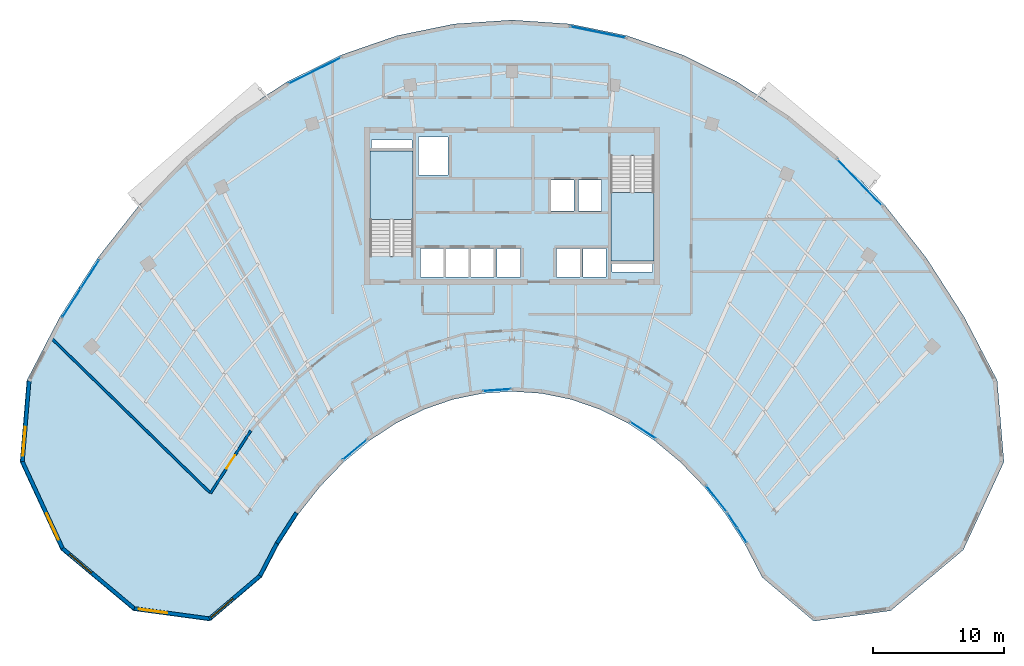
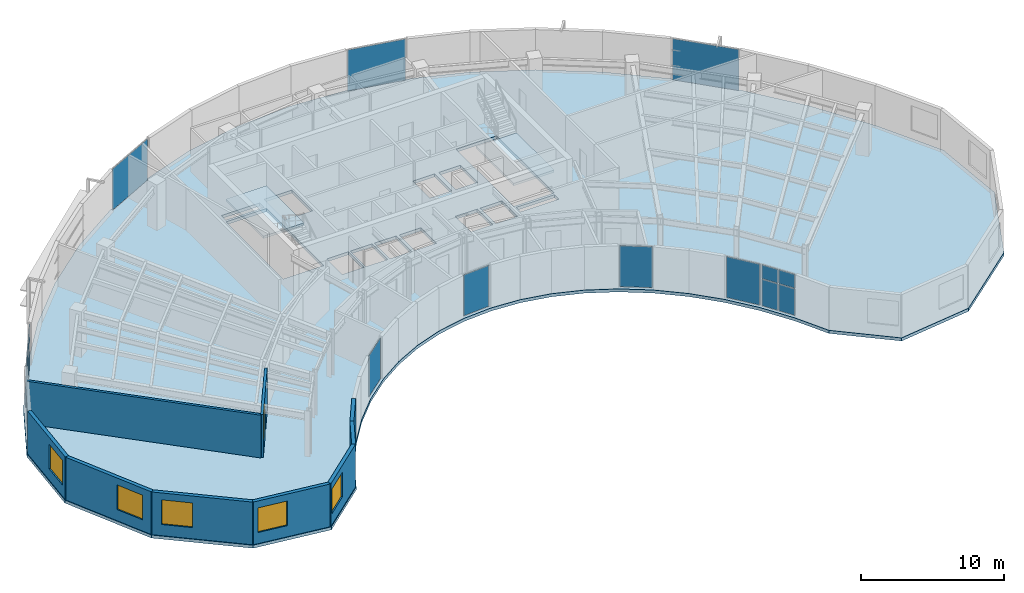
# One storey, part 7 of 14: 15 plates, 9 walls, 5 windows, 3 slabs, 1 door, 6 openings, 11 elements without a shape of their own.
"""IFC4 building model written with IfcOpenShell, lengths in metres."""

from ifc_helpers import new_model, si_unit, direction, frame, frame_2d, origin, origin_2d, place, context, subcontext, project, spatial, polyline, rectangle, outline, extrude, source, transform, mapped, material, layer, layer_set, type_object, type_shapes, element, fill, aggregate, save


model = new_model("IFC4")

# Units and contexts
model_context = context("Model", 3, precision=1e-05, world=origin(), true_north=direction((0.0, 1.0)))
body_context = subcontext(model_context, "Body", "Model", "MODEL_VIEW")
ifc_project = project(units=[si_unit("LENGTHUNIT", "METRE"), si_unit("AREAUNIT", "SQUARE_METRE"), si_unit("VOLUMEUNIT", "CUBIC_METRE"), si_unit("PLANEANGLEUNIT", "RADIAN"), si_unit("MASSUNIT", "GRAM", prefix="KILO")], contexts=[model_context])

# Site, building, storey
site_placement = place(None, origin())
site = spatial("IfcSite", under=ifc_project, at=site_placement, CompositionType="ELEMENT")
building_placement = place(site_placement, origin())
building = spatial("IfcBuilding", under=site, at=building_placement, Name="Breltana Convention Tower", CompositionType="ELEMENT")
storey_placement = place(building_placement, frame((0.0, 0.0, 219.60009765625)))
storey = spatial("IfcBuildingStorey", under=building, at=storey_placement, Name="L53", CompositionType="ELEMENT", Elevation=219.60009765625)

# Stair, slab
ifc_material_1 = material(Name="Concrete C40/50", Category="concrete")
stair_type = type_object("IfcStairType", Name="ST-DOG-1560-R177", PredefinedType="HALF_TURN_STAIR", material=ifc_material_1)
stair_1_placement = place(storey_placement, origin())
stair_1 = element("IfcStair", 1, at=stair_1_placement, inside=storey, type_object=stair_type, Name="L53 Protected Core Exit Stair ST-1", PredefinedType="HALF_TURN_STAIR")
ifc_layer_1 = layer(ifc_material_1, 0.199951171875, Name="Concrete C40/50")
ifc_layer_set_1 = layer_set([ifc_layer_1], Name="Concrete C40/50")
slab_type_1 = type_object("IfcSlabType", Name="SL-STAIR-LANDING-200", PredefinedType="LANDING", material=ifc_layer_set_1)
slab_1_placement = place(storey_placement, frame((0.0, 0.0, 1.75)))
slab_1 = element("IfcSlab", 2, at=slab_1_placement, type_object=slab_type_1, Name="ST-1 landing 1", PredefinedType="LANDING", context=body_context, shape_type="SweptSolid", body=[
    extrude(outline(polyline([(40.469970703125, 65.159912109375), (40.469970703125, 70.39990234375), (37.199951171875, 70.39990234375), (37.199951171875, 65.159912109375), (40.469970703125, 65.159912109375)])), origin(), (0.0, 0.0, 1.0), 0.199951171875),
])
aggregate(stair_1, [slab_1])

stair_2_placement = place(storey_placement, origin())
stair_2 = element("IfcStair", 3, at=stair_2_placement, inside=storey, type_object=stair_type, Name="L53 Protected Core Exit Stair ST-2", PredefinedType="HALF_TURN_STAIR")
slab_2_placement = place(storey_placement, frame((0.0, 0.0, 1.75)))
slab_2 = element("IfcSlab", 4, at=slab_2_placement, type_object=slab_type_1, Name="ST-2 landing 1", PredefinedType="LANDING", context=body_context, shape_type="SweptSolid", body=[
    extrude(outline(polyline([(55.530029296875, 67.239990234375), (55.530029296875, 62.0), (58.800048828125, 62.0), (58.800048828125, 67.239990234375), (55.530029296875, 67.239990234375)])), origin(), (0.0, 0.0, 1.0), 0.199951171875),
])
aggregate(stair_2, [slab_2])

# Slab
ifc_layer_2 = layer(ifc_material_1, 0.260009765625, Name="Concrete C40/50")
ifc_layer_set_2 = layer_set([ifc_layer_2], Name="Concrete C40/50")
slab_type_2 = type_object("IfcSlabType", Name="SL-UPP-260", PredefinedType="FLOOR", material=ifc_layer_set_2)
slab_3_placement = place(storey_placement, frame((0.0, 0.0, -0.260009765625)))
element("IfcSlab", 5, at=slab_3_placement, inside=storey, type_object=slab_type_2, Name="L53 Suspended Structural Floor Slab", PredefinedType="FLOOR", context=body_context, shape_type="SweptSolid", body=[
    extrude(outline(polyline([(84.9326171875, 52.924560546875), (82.411376953125, 57.767333984375), (79.53759765625, 62.244140625), (76.34130859375, 66.308837890625), (72.8544921875, 69.919921875), (69.113525390625, 73.040283203125), (65.15625, 75.637939453125), (61.023193359375, 77.6865234375), (56.7568359375, 79.1650390625), (52.40087890625, 80.058349609375), (48.0, 80.35693359375), (43.59912109375, 80.058349609375), (39.2431640625, 79.1650390625), (34.976806640625, 77.6865234375), (30.84375, 75.637939453125), (26.886474609375, 73.040283203125), (23.1455078125, 69.919921875), (19.65869140625, 66.308837890625), (16.46240234375, 62.244140625), (13.588623046875, 57.767333984375), (11.0673828125, 52.924560546875), (10.548583984375, 46.716796875), (13.645263671875, 40.0185546875), (19.1748046875, 35.388427734375), (25.02490234375, 34.59521484375), (28.961181640625, 37.941650390625), (30.260986328125, 40.43798828125), (31.7421875, 42.745849609375), (33.39013671875, 44.84130859375), (35.1875, 46.70263671875), (37.115966796875, 48.311279296875), (39.156005859375, 49.650390625), (41.28662109375, 50.706298828125), (43.48583984375, 51.468505859375), (45.731201171875, 51.928955078125), (48.0, 52.0830078125), (50.268798828125, 51.928955078125), (52.51416015625, 51.468505859375), (54.71337890625, 50.706298828125), (56.843994140625, 49.650390625), (58.884033203125, 48.311279296875), (60.8125, 46.70263671875), (62.60986328125, 44.84130859375), (64.2578125, 42.745849609375), (65.739013671875, 40.43798828125), (67.038818359375, 37.941650390625), (70.97509765625, 34.59521484375), (76.8251953125, 35.388427734375), (82.354736328125, 40.0185546875), (85.451416015625, 46.716796875), (84.9326171875, 52.924560546875)]), holes=[polyline([(37.199951171875, 62.385009765625), (40.469970703125, 62.385009765625), (40.469970703125, 70.39990234375), (37.199951171875, 70.39990234375), (37.199951171875, 62.385009765625)]), polyline([(55.530029296875, 62.0), (58.800048828125, 62.0), (58.800048828125, 70.014892578125), (55.530029296875, 70.014892578125), (55.530029296875, 62.0)]), polyline([(41.0400390625, 60.800048828125), (42.800048828125, 60.800048828125), (42.800048828125, 62.97998046875), (41.0400390625, 62.97998046875), (41.0400390625, 60.800048828125)]), polyline([(42.93994140625, 60.800048828125), (44.699951171875, 60.800048828125), (44.699951171875, 62.97998046875), (42.93994140625, 62.97998046875), (42.93994140625, 60.800048828125)]), polyline([(44.8701171875, 60.800048828125), (46.6298828125, 60.800048828125), (46.6298828125, 62.97998046875), (44.8701171875, 62.97998046875), (44.8701171875, 60.800048828125)]), polyline([(46.8701171875, 60.800048828125), (48.6298828125, 60.800048828125), (48.6298828125, 62.97998046875), (46.8701171875, 62.97998046875), (46.8701171875, 60.800048828125)]), polyline([(51.39990234375, 60.800048828125), (53.159912109375, 60.800048828125), (53.159912109375, 62.97998046875), (51.39990234375, 62.97998046875), (51.39990234375, 60.800048828125)]), polyline([(53.39990234375, 60.800048828125), (55.159912109375, 60.800048828125), (55.159912109375, 62.97998046875), (53.39990234375, 62.97998046875), (53.39990234375, 60.800048828125)]), polyline([(50.969970703125, 65.800048828125), (52.72998046875, 65.800048828125), (52.72998046875, 68.179931640625), (50.969970703125, 68.179931640625), (50.969970703125, 65.800048828125)]), polyline([(53.070068359375, 65.800048828125), (54.830078125, 65.800048828125), (54.830078125, 68.179931640625), (53.070068359375, 68.179931640625), (53.070068359375, 65.800048828125)]), polyline([(40.8798828125, 68.550048828125), (43.1201171875, 68.550048828125), (43.1201171875, 71.449951171875), (40.8798828125, 71.449951171875), (40.8798828125, 68.550048828125)]), polyline([(37.300048828125, 70.60009765625), (40.3798828125, 70.60009765625), (40.3798828125, 71.219970703125), (37.300048828125, 71.219970703125), (37.300048828125, 70.60009765625)]), polyline([(55.6201171875, 61.179931640625), (58.699951171875, 61.179931640625), (58.699951171875, 61.800048828125), (55.6201171875, 61.800048828125), (55.6201171875, 61.179931640625)])]), origin(), (0.0, 0.0, 1.0), 0.260009765625),
])

# Curtain wall, plates
ifc_material_2 = material(Name="Aluminium Anodised Bronze Frame", Category="aluminium")
ifc_layer_3 = layer(ifc_material_2, 0.18994140625, Name="Aluminium Anodised Bronze Frame")
ifc_layer_set_3 = layer_set([ifc_layer_3], Name="Aluminium Anodised Bronze Frame")
curtain_wall_type_1 = type_object("IfcCurtainWallType", Name="CW-SYS-1", PredefinedType="NOTDEFINED", material=ifc_layer_set_3)
curtain_wall_1_placement = place(storey_placement, origin())
curtain_wall_1 = element("IfcCurtainWall", 6, at=curtain_wall_1_placement, inside=storey, type_object=curtain_wall_type_1, Name="L53 inner south-court glazing 1", PredefinedType="NOTDEFINED")
ifc_material_3 = material(Name="Glass Low-E Double Glazing", Category="glass")
ifc_layer_4 = layer(ifc_material_3, 0.028076171875, Name="Glass Low-E Double Glazing")
ifc_layer_set_4 = layer_set([ifc_layer_4], Name="Glass Low-E Double Glazing")
plate_type = type_object("IfcPlateType", Name="CWP-IGU-28", PredefinedType="CURTAIN_PANEL", material=ifc_layer_set_4)
shared_shape_1 = source(origin(), body_context, "Body", "SweptSolid", [
    extrude(rectangle(XDim=1.251220703125, YDim=0.028076171875, at=origin_2d()), origin(), (0.0, 0.0, 1.0), 2.24609375),
])
plate_1_placement = place(storey_placement, frame((65.50927734375, 41.129150390625, 0.079833984375), z_axis=(0.0, 0.0, 1.0), x_axis=(-0.540184263938, 0.841546766968, 0.0)))
plate_1 = element("IfcPlate", 7, at=plate_1_placement, type_object=plate_type, Name="CW-01 panel 1.1", PredefinedType="CURTAIN_PANEL", context=body_context, shape_type="MappedRepresentation", body=[
    mapped(shared_shape_1, transform((0.0, 0.0, 0.0), scale=1.0)),
])
plate_2_placement = place(storey_placement, frame((64.790283203125, 42.249267578125, 0.079833984375), z_axis=(0.0, 0.0, 1.0), x_axis=(-0.540184263938, 0.841546766968, 0.0)))
plate_2 = element("IfcPlate", 8, at=plate_2_placement, type_object=plate_type, Name="CW-01 panel 2.1", PredefinedType="CURTAIN_PANEL", context=body_context, shape_type="MappedRepresentation", body=[
    mapped(shared_shape_1, transform((0.0, 0.0, 0.0), scale=1.0)),
])
shared_shape_2 = source(origin(), body_context, "Body", "SweptSolid", [
    extrude(rectangle(XDim=1.251220703125, YDim=0.028076171875, at=origin_2d()), origin(), (0.0, 0.0, 1.0), 1.154052734375),
])
plate_3_placement = place(storey_placement, frame((65.50927734375, 41.129150390625, 2.40576171875), z_axis=(0.0, 0.0, 1.0), x_axis=(-0.540184263938, 0.841546766968, 0.0)))
plate_3 = element("IfcPlate", 9, at=plate_3_placement, type_object=plate_type, Name="CW-01 panel 1.2", PredefinedType="CURTAIN_PANEL", context=body_context, shape_type="MappedRepresentation", body=[
    mapped(shared_shape_2, transform((0.0, 0.0, 0.0), scale=1.0)),
])
plate_4_placement = place(storey_placement, frame((64.790283203125, 42.249267578125, 2.40576171875), z_axis=(0.0, 0.0, 1.0), x_axis=(-0.540184263938, 0.841546766968, 0.0)))
plate_4 = element("IfcPlate", 10, at=plate_4_placement, type_object=plate_type, Name="CW-01 panel 2.2", PredefinedType="CURTAIN_PANEL", context=body_context, shape_type="MappedRepresentation", body=[
    mapped(shared_shape_2, transform((0.0, 0.0, 0.0), scale=1.0)),
])
aggregate(curtain_wall_1, [plate_1, plate_3, plate_2, plate_4])

# Curtain wall, plate
curtain_wall_2_placement = place(storey_placement, origin())
curtain_wall_2 = element("IfcCurtainWall", 11, at=curtain_wall_2_placement, inside=storey, type_object=curtain_wall_type_1, Name="L53 inner south-court glazing 2", PredefinedType="NOTDEFINED")
shared_shape_3 = source(origin(), body_context, "Body", "SweptSolid", [
    extrude(rectangle(XDim=2.505615234375, YDim=0.028076171875, at=origin_2d()), origin(), (0.0, 0.0, 1.0), 3.47998046875),
])
plate_5_placement = place(storey_placement, frame((63.5751953125, 43.90478515625, 0.079833984375), z_axis=(0.0, 0.0, 1.0), x_axis=(-0.6181495353, 0.786060526937, 0.0)))
plate_5 = element("IfcPlate", 12, at=plate_5_placement, type_object=plate_type, Name="CW-01 panel 1.1", PredefinedType="CURTAIN_PANEL", context=body_context, shape_type="MappedRepresentation", body=[
    mapped(shared_shape_3, transform((0.0, 0.0, 0.0), scale=1.0)),
])
aggregate(curtain_wall_2, [plate_5])

# Curtain wall, plates
ifc_layer_5 = layer(ifc_material_2, 0.219970703125, Name="Aluminium Anodised Bronze Frame")
ifc_layer_set_5 = layer_set([ifc_layer_5], Name="Aluminium Anodised Bronze Frame")
curtain_wall_type_2 = type_object("IfcCurtainWallType", Name="CW-SYS-4", PredefinedType="NOTDEFINED", material=ifc_layer_set_5)
curtain_wall_3_placement = place(storey_placement, origin())
curtain_wall_3 = element("IfcCurtainWall", 13, at=curtain_wall_3_placement, inside=storey, type_object=curtain_wall_type_2, Name="L53 outer double-skin inner glazing 1", PredefinedType="NOTDEFINED")
shared_shape_4 = source(origin(), body_context, "Body", "SweptSolid", [
    extrude(rectangle(XDim=2.531494140625, YDim=0.028076171875, at=origin_2d()), origin(), (0.0, 0.0, 1.0), 2.260986328125),
])
plate_6_placement = place(storey_placement, frame((14.471435546875, 58.8095703125, 0.06982421875), z_axis=(0.0, 0.0, 1.0), x_axis=(0.540181791075, 0.84154835428, 0.0)))
plate_6 = element("IfcPlate", 14, at=plate_6_placement, type_object=plate_type, Name="CW-04 panel 1.1", PredefinedType="CURTAIN_PANEL", context=body_context, shape_type="MappedRepresentation", body=[
    mapped(shared_shape_4, transform((0.0, 0.0, 0.0), scale=1.0)),
])
plate_7_placement = place(storey_placement, frame((15.882080078125, 61.007080078125, 0.06982421875), z_axis=(0.0, 0.0, 1.0), x_axis=(0.540181791075, 0.84154835428, 0.0)))
plate_7 = element("IfcPlate", 15, at=plate_7_placement, type_object=plate_type, Name="CW-04 panel 2.1", PredefinedType="CURTAIN_PANEL", context=body_context, shape_type="MappedRepresentation", body=[
    mapped(shared_shape_4, transform((0.0, 0.0, 0.0), scale=1.0)),
])
shared_shape_5 = source(origin(), body_context, "Body", "SweptSolid", [
    extrude(rectangle(XDim=2.531494140625, YDim=0.028076171875, at=origin_2d()), origin(), (0.0, 0.0, 1.0), 1.1689453125),
])
plate_8_placement = place(storey_placement, frame((14.471435546875, 58.8095703125, 2.40087890625), z_axis=(0.0, 0.0, 1.0), x_axis=(0.540181791075, 0.84154835428, 0.0)))
plate_8 = element("IfcPlate", 16, at=plate_8_placement, type_object=plate_type, Name="CW-04 panel 1.2", PredefinedType="CURTAIN_PANEL", context=body_context, shape_type="MappedRepresentation", body=[
    mapped(shared_shape_5, transform((0.0, 0.0, 0.0), scale=1.0)),
])
plate_9_placement = place(storey_placement, frame((15.882080078125, 61.007080078125, 2.40087890625), z_axis=(0.0, 0.0, 1.0), x_axis=(0.540181791075, 0.84154835428, 0.0)))
plate_9 = element("IfcPlate", 17, at=plate_9_placement, type_object=plate_type, Name="CW-04 panel 2.2", PredefinedType="CURTAIN_PANEL", context=body_context, shape_type="MappedRepresentation", body=[
    mapped(shared_shape_5, transform((0.0, 0.0, 0.0), scale=1.0)),
])
aggregate(curtain_wall_3, [plate_6, plate_8, plate_7, plate_9])

# Curtain wall, plate
curtain_wall_4_placement = place(storey_placement, origin())
curtain_wall_4 = element("IfcCurtainWall", 18, at=curtain_wall_4_placement, inside=storey, type_object=curtain_wall_type_2, Name="L53 outer double-skin inner glazing 4", PredefinedType="NOTDEFINED")
shared_shape_6 = source(origin(), body_context, "Body", "SweptSolid", [
    extrude(rectangle(XDim=4.8408203125, YDim=0.028076171875, at=origin_2d()), origin(), (0.0, 0.0, 1.0), 3.5),
])
plate_10_placement = place(storey_placement, frame((74.46875, 67.989013671875, 0.06982421875), z_axis=(0.0, 0.0, 1.0), x_axis=(0.694599866751, -0.719396292115, 0.0)))
plate_10 = element("IfcPlate", 19, at=plate_10_placement, type_object=plate_type, Name="CW-04 panel 1.1", PredefinedType="CURTAIN_PANEL", context=body_context, shape_type="MappedRepresentation", body=[
    mapped(shared_shape_6, transform((0.0, 0.0, 0.0), scale=1.0)),
])
aggregate(curtain_wall_4, [plate_10])

curtain_wall_5_placement = place(storey_placement, origin())
curtain_wall_5 = element("IfcCurtainWall", 20, at=curtain_wall_5_placement, inside=storey, type_object=curtain_wall_type_2, Name="L53 outer double-skin inner glazing 3", PredefinedType="NOTDEFINED")
shared_shape_7 = source(origin(), body_context, "Body", "SweptSolid", [
    extrude(rectangle(XDim=4.262451171875, YDim=0.028076171875, at=origin_2d()), origin(), (0.0, 0.0, 1.0), 3.5),
])
plate_11_placement = place(storey_placement, frame((54.54296875, 79.435302734375, 0.06982421875), z_axis=(0.0, 0.0, 1.0), x_axis=(0.979615937236, -0.200879604523, 0.0)))
plate_11 = element("IfcPlate", 21, at=plate_11_placement, type_object=plate_type, Name="CW-04 panel 1.1", PredefinedType="CURTAIN_PANEL", context=body_context, shape_type="MappedRepresentation", body=[
    mapped(shared_shape_7, transform((0.0, 0.0, 0.0), scale=1.0)),
])
aggregate(curtain_wall_5, [plate_11])

curtain_wall_6_placement = place(storey_placement, origin())
curtain_wall_6 = element("IfcCurtainWall", 22, at=curtain_wall_6_placement, inside=storey, type_object=curtain_wall_type_2, Name="L53 outer double-skin inner glazing 2", PredefinedType="NOTDEFINED")
shared_shape_8 = source(origin(), body_context, "Body", "SweptSolid", [
    extrude(rectangle(XDim=4.430419921875, YDim=0.028076171875, at=origin_2d()), origin(), (0.0, 0.0, 1.0), 3.5),
])
plate_12_placement = place(storey_placement, frame((32.989990234375, 76.5009765625, 0.06982421875), z_axis=(0.0, 0.0, 1.0), x_axis=(0.895972827235, 0.444108875003, 0.0)))
plate_12 = element("IfcPlate", 23, at=plate_12_placement, type_object=plate_type, Name="CW-04 panel 1.1", PredefinedType="CURTAIN_PANEL", context=body_context, shape_type="MappedRepresentation", body=[
    mapped(shared_shape_8, transform((0.0, 0.0, 0.0), scale=1.0)),
])
aggregate(curtain_wall_6, [plate_12])

curtain_wall_7_placement = place(storey_placement, origin())
curtain_wall_7 = element("IfcCurtainWall", 24, at=curtain_wall_7_placement, inside=storey, type_object=curtain_wall_type_1, Name="L53 inner south-court glazing 3", PredefinedType="NOTDEFINED")
shared_shape_9 = source(origin(), body_context, "Body", "SweptSolid", [
    extrude(rectangle(XDim=2.2802734375, YDim=0.028076171875, at=origin_2d()), origin(), (0.0, 0.0, 1.0), 3.47998046875),
])
plate_13_placement = place(storey_placement, frame((57.962890625, 49.13134765625, 0.079833984375), z_axis=(0.0, 0.0, 1.0), x_axis=(-0.835982113821, 0.548756690502, 0.0)))
plate_13 = element("IfcPlate", 25, at=plate_13_placement, type_object=plate_type, Name="CW-01 panel 1.1", PredefinedType="CURTAIN_PANEL", context=body_context, shape_type="MappedRepresentation", body=[
    mapped(shared_shape_9, transform((0.0, 0.0, 0.0), scale=1.0)),
])
aggregate(curtain_wall_7, [plate_13])

curtain_wall_8_placement = place(storey_placement, origin())
curtain_wall_8 = element("IfcCurtainWall", 26, at=curtain_wall_8_placement, inside=storey, type_object=curtain_wall_type_1, Name="L53 inner south-court glazing 4", PredefinedType="NOTDEFINED")
shared_shape_10 = source(origin(), body_context, "Body", "SweptSolid", [
    extrude(rectangle(XDim=2.114013671875, YDim=0.028076171875, at=origin_2d()), origin(), (0.0, 0.0, 1.0), 3.47998046875),
])
plate_14_placement = place(storey_placement, frame((46.853515625, 52.185546875, 0.079833984375), z_axis=(0.0, 0.0, 1.0), x_axis=(-0.997704064785, -0.067724435121, 0.0)))
plate_14 = element("IfcPlate", 27, at=plate_14_placement, type_object=plate_type, Name="CW-01 panel 1.1", PredefinedType="CURTAIN_PANEL", context=body_context, shape_type="MappedRepresentation", body=[
    mapped(shared_shape_10, transform((0.0, 0.0, 0.0), scale=1.0)),
])
aggregate(curtain_wall_8, [plate_14])

curtain_wall_9_placement = place(storey_placement, origin())
curtain_wall_9 = element("IfcCurtainWall", 28, at=curtain_wall_9_placement, inside=storey, type_object=curtain_wall_type_1, Name="L53 inner south-court glazing 5", PredefinedType="NOTDEFINED")
shared_shape_11 = source(origin(), body_context, "Body", "SweptSolid", [
    extrude(rectangle(XDim=2.351318359375, YDim=0.028076171875, at=origin_2d()), origin(), (0.0, 0.0, 1.0), 3.47998046875),
])
plate_15_placement = place(storey_placement, frame((36.036376953125, 47.64501953125, 0.079833984375), z_axis=(0.0, 0.0, 1.0), x_axis=(-0.767924180628, -0.640540750309, 0.0)))
plate_15 = element("IfcPlate", 29, at=plate_15_placement, type_object=plate_type, Name="CW-01 panel 1.1", PredefinedType="CURTAIN_PANEL", context=body_context, shape_type="MappedRepresentation", body=[
    mapped(shared_shape_11, transform((0.0, 0.0, 0.0), scale=1.0)),
])
aggregate(curtain_wall_9, [plate_15])

# Wall, opening, window
ifc_material_4 = material(Name="Limestone Buff Insulated Wall", Category="masonry")
ifc_layer_6 = layer(ifc_material_4, 0.280029296875, Name="Limestone Buff Insulated Wall")
ifc_layer_set_6 = layer_set([ifc_layer_6], Name="Limestone Buff Insulated Wall")
wall_type_1 = type_object("IfcWallType", Name="WL-EXT-NOSE-280", PredefinedType="SOLIDWALL", material=ifc_layer_set_6)
shared_shape_12 = source(origin(), body_context, "Body", "SweptSolid", [
    extrude(rectangle(XDim=6.145751953125, YDim=0.280029296875, at=frame_2d((3.07275390625, 0.0))), origin(), (0.0, 0.0, 1.0), 3.639892578125),
])
wall_1_placement = place(storey_placement, frame((10.73193359375, 46.7490234375, 0.0), z_axis=(0.0, 0.0, 1.0), x_axis=(0.083301904456, 0.996524356307, 0.0)))
wall_1 = element("IfcWall", 30, at=wall_1_placement, inside=storey, type_object=wall_type_1, Name="L53 curved limestone nose wall W6", PredefinedType="SOLIDWALL", context=body_context, shape_type="MappedRepresentation", body=[
    mapped(shared_shape_12, transform((0.0, 0.0, 0.0), scale=1.0)),
])
opening_1_placement = place(wall_1_placement, frame((0.436279296875, 0.0, 0.949951171875)))
opening_1 = element("IfcOpeningElement", 31, at=opening_1_placement, cuts=wall_1, Name="Opening W-03", PredefinedType="OPENING", context=body_context, shape_type="SweptSolid", body=[
    extrude(rectangle(XDim=2.199951171875, YDim=2.10009765625, at=frame_2d((1.10009765625, 1.050048828125))), frame((0.0, 0.14990234375, 0.0), z_axis=(0.0, -1.0, 0.0), x_axis=(1.0, 0.0, 0.0)), (0.0, 0.0, 1.0), 0.300048828125),
])
ifc_material_5 = material(Name="Glass Low-E Insulated Window", Category="glass")
window_type = type_object("IfcWindowType", Name="WN-NOSE-2200X2100", PartitioningType="TRIPLE_PANEL_VERTICAL", PredefinedType="WINDOW", material=ifc_material_5)
shared_shape_13 = source(origin(), body_context, "Body", "SweptSolid", [
    extrude(rectangle(XDim=2.199951171875, YDim=2.10009765625, at=frame_2d((1.10009765625, 1.050048828125))), frame((0.0, 0.030029296875, 0.0), z_axis=(0.0, -1.0, 0.0), x_axis=(1.0, 0.0, 0.0)), (0.0, 0.0, 1.0), 0.06005859375),
])
type_shapes(window_type, [shared_shape_13])
window_1_placement = place(opening_1_placement, origin())
window_1 = element("IfcWindow", 32, at=window_1_placement, inside=storey, type_object=window_type, Name="L53 nose window W6", OverallHeight=2.10009765625, OverallWidth=2.199951171875, PartitioningType="TRIPLE_PANEL_VERTICAL", PredefinedType="WINDOW", context=body_context, shape_type="MappedRepresentation", body=[
    mapped(shared_shape_13, transform((0.0, 0.0, 0.0), scale=1.0)),
])
fill(opening_1, window_1)

shared_shape_14 = source(origin(), body_context, "Body", "SweptSolid", [
    extrude(rectangle(XDim=7.29150390625, YDim=0.280029296875, at=frame_2d((3.645751953125, 0.0))), origin(), (0.0, 0.0, 1.0), 3.639892578125),
])
wall_2_placement = place(storey_placement, frame((13.791748046875, 40.130615234375, 0.0), z_axis=(0.0, 0.0, 1.0), x_axis=(-0.419642001049, 0.907689699708, 0.0)))
wall_2 = element("IfcWall", 33, at=wall_2_placement, inside=storey, type_object=wall_type_1, Name="L53 curved limestone nose wall W5", PredefinedType="SOLIDWALL", context=body_context, shape_type="MappedRepresentation", body=[
    mapped(shared_shape_14, transform((0.0, 0.0, 0.0), scale=1.0)),
])
opening_2_placement = place(wall_2_placement, frame((0.722900390625, 0.0, 0.949951171875)))
opening_2 = element("IfcOpeningElement", 34, at=opening_2_placement, cuts=wall_2, Name="Opening W-03", PredefinedType="OPENING", context=body_context, shape_type="SweptSolid", body=[
    extrude(rectangle(XDim=2.199951171875, YDim=2.10009765625, at=frame_2d((1.10009765625, 1.050048828125))), frame((0.0, 0.14990234375, 0.0), z_axis=(0.0, -1.0, 0.0), x_axis=(1.0, 0.0, 0.0)), (0.0, 0.0, 1.0), 0.300048828125),
])
window_2_placement = place(opening_2_placement, origin())
window_2 = element("IfcWindow", 35, at=window_2_placement, inside=storey, type_object=window_type, Name="L53 nose window W5", OverallHeight=2.10009765625, OverallWidth=2.199951171875, PartitioningType="TRIPLE_PANEL_VERTICAL", PredefinedType="WINDOW", context=body_context, shape_type="MappedRepresentation", body=[
    mapped(shared_shape_13, transform((0.0, 0.0, 0.0), scale=1.0)),
])
fill(opening_2, window_2)

shared_shape_15 = source(origin(), body_context, "Body", "SweptSolid", [
    extrude(rectangle(XDim=7.11962890625, YDim=0.280029296875, at=frame_2d((3.559814453125, 0.0))), origin(), (0.0, 0.0, 1.0), 3.639892578125),
])
wall_3_placement = place(storey_placement, frame((19.25048828125, 35.559814453125, 0.0), z_axis=(0.0, 0.0, 1.0), x_axis=(-0.766709783564, 0.641993853387, 0.0)))
wall_3 = element("IfcWall", 36, at=wall_3_placement, inside=storey, type_object=wall_type_1, Name="L53 curved limestone nose wall W4", PredefinedType="SOLIDWALL", context=body_context, shape_type="MappedRepresentation", body=[
    mapped(shared_shape_15, transform((0.0, 0.0, 0.0), scale=1.0)),
])
opening_3_placement = place(wall_3_placement, frame((4.23974609375, 0.0, 0.949951171875)))
opening_3 = element("IfcOpeningElement", 37, at=opening_3_placement, cuts=wall_3, Name="Opening W-03", PredefinedType="OPENING", context=body_context, shape_type="SweptSolid", body=[
    extrude(rectangle(XDim=2.199951171875, YDim=2.10009765625, at=frame_2d((1.10009765625, 1.050048828125))), frame((0.0, 0.14990234375, 0.0), z_axis=(0.0, -1.0, 0.0), x_axis=(1.0, 0.0, 0.0)), (0.0, 0.0, 1.0), 0.300048828125),
])
window_3_placement = place(opening_3_placement, origin())
window_3 = element("IfcWindow", 38, at=window_3_placement, inside=storey, type_object=window_type, Name="L53 nose window W4", OverallHeight=2.10009765625, OverallWidth=2.199951171875, PartitioningType="TRIPLE_PANEL_VERTICAL", PredefinedType="WINDOW", context=body_context, shape_type="MappedRepresentation", body=[
    mapped(shared_shape_13, transform((0.0, 0.0, 0.0), scale=1.0)),
])
fill(opening_3, window_3)

shared_shape_16 = source(origin(), body_context, "Body", "SweptSolid", [
    extrude(rectangle(XDim=5.771240234375, YDim=0.280029296875, at=frame_2d((2.8857421875, 0.0))), origin(), (0.0, 0.0, 1.0), 3.639892578125),
])
wall_4_placement = place(storey_placement, frame((24.969482421875, 34.784423828125, 0.0), z_axis=(0.0, 0.0, 1.0), x_axis=(-0.990933615537, 0.134352408237, 0.0)))
wall_4 = element("IfcWall", 39, at=wall_4_placement, inside=storey, type_object=wall_type_1, Name="L53 curved limestone nose wall W3", PredefinedType="SOLIDWALL", context=body_context, shape_type="MappedRepresentation", body=[
    mapped(shared_shape_16, transform((0.0, 0.0, 0.0), scale=1.0)),
])
opening_4_placement = place(wall_4_placement, frame((3.228759765625, 0.0, 0.949951171875)))
opening_4 = element("IfcOpeningElement", 40, at=opening_4_placement, cuts=wall_4, Name="Opening W-03", PredefinedType="OPENING", context=body_context, shape_type="SweptSolid", body=[
    extrude(rectangle(XDim=2.199951171875, YDim=2.10009765625, at=frame_2d((1.10009765625, 1.050048828125))), frame((0.0, 0.14990234375, 0.0), z_axis=(0.0, -1.0, 0.0), x_axis=(1.0, 0.0, 0.0)), (0.0, 0.0, 1.0), 0.300048828125),
])
window_4_placement = place(opening_4_placement, origin())
window_4 = element("IfcWindow", 41, at=window_4_placement, inside=storey, type_object=window_type, Name="L53 nose window W3", OverallHeight=2.10009765625, OverallWidth=2.199951171875, PartitioningType="TRIPLE_PANEL_VERTICAL", PredefinedType="WINDOW", context=body_context, shape_type="MappedRepresentation", body=[
    mapped(shared_shape_13, transform((0.0, 0.0, 0.0), scale=1.0)),
])
fill(opening_4, window_4)

shared_shape_17 = source(origin(), body_context, "Body", "SweptSolid", [
    extrude(rectangle(XDim=5.051025390625, YDim=0.280029296875, at=frame_2d((2.525390625, 0.0))), origin(), (0.0, 0.0, 1.0), 3.639892578125),
])
wall_5_placement = place(storey_placement, frame((28.81787109375, 38.055908203125, 0.0), z_axis=(0.0, 0.0, 1.0), x_axis=(-0.761904731537, -0.647689107568, 0.0)))
wall_5 = element("IfcWall", 42, at=wall_5_placement, inside=storey, type_object=wall_type_1, Name="L53 curved limestone nose wall W2", PredefinedType="SOLIDWALL", context=body_context, shape_type="MappedRepresentation", body=[
    mapped(shared_shape_17, transform((0.0, 0.0, 0.0), scale=1.0)),
])
opening_5_placement = place(wall_5_placement, frame((2.688232421875, 0.0, 0.949951171875)))
opening_5 = element("IfcOpeningElement", 43, at=opening_5_placement, cuts=wall_5, Name="Opening W-03", PredefinedType="OPENING", context=body_context, shape_type="SweptSolid", body=[
    extrude(rectangle(XDim=2.199951171875, YDim=2.10009765625, at=frame_2d((1.10009765625, 1.050048828125))), frame((0.0, 0.14990234375, 0.0), z_axis=(0.0, -1.0, 0.0), x_axis=(1.0, 0.0, 0.0)), (0.0, 0.0, 1.0), 0.300048828125),
])
window_5_placement = place(opening_5_placement, origin())
window_5 = element("IfcWindow", 44, at=window_5_placement, inside=storey, type_object=window_type, Name="L53 nose window W2", OverallHeight=2.10009765625, OverallWidth=2.199951171875, PartitioningType="TRIPLE_PANEL_VERTICAL", PredefinedType="WINDOW", context=body_context, shape_type="MappedRepresentation", body=[
    mapped(shared_shape_13, transform((0.0, 0.0, 0.0), scale=1.0)),
])
fill(opening_5, window_5)

# Walls
shared_shape_18 = source(origin(), body_context, "Body", "SweptSolid", [
    extrude(rectangle(XDim=2.779296875, YDim=0.280029296875, at=frame_2d((1.3896484375, 0.0))), origin(), (0.0, 0.0, 1.0), 3.639892578125),
])
wall_6_placement = place(storey_placement, frame((30.101318359375, 40.521240234375, 0.0), z_axis=(0.0, 0.0, 1.0), x_axis=(-0.461770308601, -0.886999538948, 0.0)))
element("IfcWall", 45, at=wall_6_placement, inside=storey, type_object=wall_type_1, Name="L53 curved limestone nose wall W1", PredefinedType="SOLIDWALL", context=body_context, shape_type="MappedRepresentation", body=[
    mapped(shared_shape_18, transform((0.0, 0.0, 0.0), scale=1.0)),
])
shared_shape_19 = source(origin(), body_context, "Body", "SweptSolid", [
    extrude(rectangle(XDim=2.7421875, YDim=0.280029296875, at=frame_2d((1.37109375, 0.0))), origin(), (0.0, 0.0, 1.0), 3.639892578125),
])
wall_7_placement = place(storey_placement, frame((31.5908203125, 42.843017578125, 0.0), z_axis=(0.0, 0.0, 1.0), x_axis=(-0.540172468355, -0.841554338371, 0.0)))
element("IfcWall", 46, at=wall_7_placement, inside=storey, type_object=wall_type_1, Name="L53 curved limestone nose wall E19", PredefinedType="SOLIDWALL", context=body_context, shape_type="MappedRepresentation", body=[
    mapped(shared_shape_19, transform((0.0, 0.0, 0.0), scale=1.0)),
])

# Wall, opening, door
ifc_material_6 = material(Name="Gypsum Acoustic Hotel Wall")
ifc_layer_7 = layer(ifc_material_6, 0.195068359375, Name="Gypsum Acoustic Hotel Wall")
ifc_layer_set_7 = layer_set([ifc_layer_7], Name="Gypsum Acoustic Hotel Wall")
wall_type_2 = type_object("IfcWallType", Name="WL-HOTEL-200", PredefinedType="PARTITIONING", material=ifc_layer_set_7)
shared_shape_20 = source(origin(), body_context, "Body", "SweptSolid", [
    extrude(rectangle(XDim=5.66845703125, YDim=0.195068359375, at=frame_2d((2.834228515625, 0.0))), origin(), (0.0, 0.0, 1.0), 3.639892578125),
])
wall_8_placement = place(storey_placement, frame((25.056396484375, 44.33740234375, 0.0), z_axis=(0.0, 0.0, 1.0), x_axis=(0.540868603668, 0.841107099938, 0.0)))
wall_8 = element("IfcWall", 47, at=wall_8_placement, inside=storey, type_object=wall_type_2, Name="L53 interior partition W-L53-EXWR1-COR1", PredefinedType="PARTITIONING", context=body_context, shape_type="MappedRepresentation", body=[
    mapped(shared_shape_20, transform((0.0, 0.0, 0.0), scale=1.0)),
])
opening_6_placement = place(wall_8_placement, frame((2.234375, 0.0, 0.0)))
opening_6 = element("IfcOpeningElement", 48, at=opening_6_placement, cuts=wall_8, Name="Opening D-10", PredefinedType="OPENING", context=body_context, shape_type="SweptSolid", body=[
    extrude(rectangle(XDim=1.199951171875, YDim=2.14990234375, at=frame_2d((0.60009765625, 1.074951171875))), frame((0.0, 0.107421875, 0.0), z_axis=(0.0, -1.0, 0.0), x_axis=(1.0, 0.0, 0.0)), (0.0, 0.0, 1.0), 0.215087890625),
])
ifc_material_7 = material(Name="Timber Oak Veneer Fire Door", Category="wood")
door_type = type_object("IfcDoorType", Name="DR-INT-1200", OperationType="NOTDEFINED", PredefinedType="DOOR", material=ifc_material_7)
shared_shape_21 = source(origin(), body_context, "Body", "SweptSolid", [
    extrude(rectangle(XDim=1.199951171875, YDim=2.14990234375, at=frame_2d((0.60009765625, 1.074951171875))), frame((0.0, 0.02490234375, 0.0), z_axis=(0.0, -1.0, 0.0), x_axis=(1.0, 0.0, 0.0)), (0.0, 0.0, 1.0), 0.050048828125),
])
type_shapes(door_type, [shared_shape_21])
door_placement = place(opening_6_placement, origin())
door = element("IfcDoor", 49, at=door_placement, inside=storey, type_object=door_type, Name="L53 interior door D-L53-EXWR1", OperationType="SINGLE_SWING_LEFT", OverallHeight=2.14990234375, OverallWidth=1.199951171875, PredefinedType="DOOR", context=body_context, shape_type="MappedRepresentation", body=[
    mapped(shared_shape_21, transform((0.0, 0.0, 0.0), scale=1.0)),
])
fill(opening_6, door)

# Wall
shared_shape_22 = source(origin(), body_context, "Body", "SweptSolid", [
    extrude(rectangle(XDim=16.853759765625, YDim=0.195068359375, at=frame_2d((8.4267578125, 0.0))), origin(), (0.0, 0.0, 1.0), 3.639892578125),
])
wall_9_placement = place(storey_placement, frame((25.02392578125, 44.368896484375, 0.0), z_axis=(0.0, 0.0, 1.0), x_axis=(-0.716517105841, 0.697569521294, 0.0)))
element("IfcWall", 50, at=wall_9_placement, inside=storey, type_object=wall_type_2, Name="L53 interior partition W-L53-EXWR1-RA", PredefinedType="PARTITIONING", context=body_context, shape_type="MappedRepresentation", body=[
    mapped(shared_shape_22, transform((0.0, 0.0, 0.0), scale=1.0)),
])

save(model, "model.ifc")
